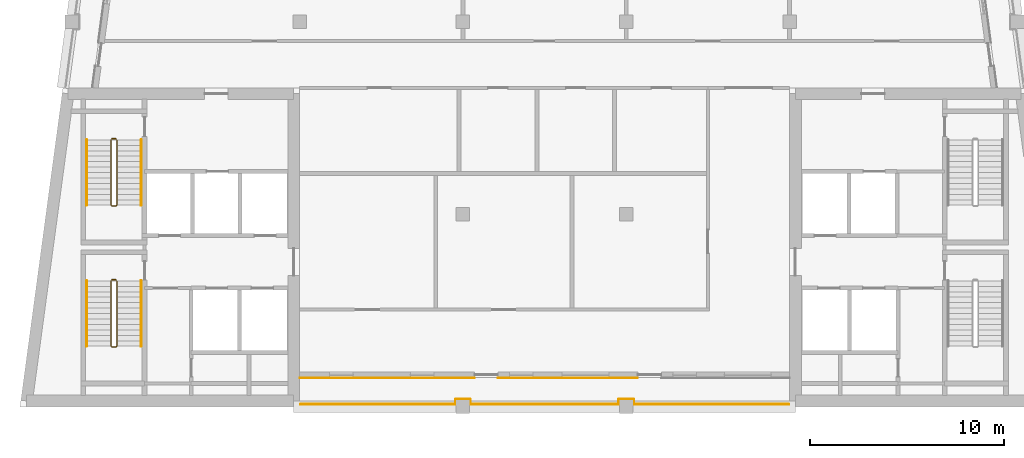
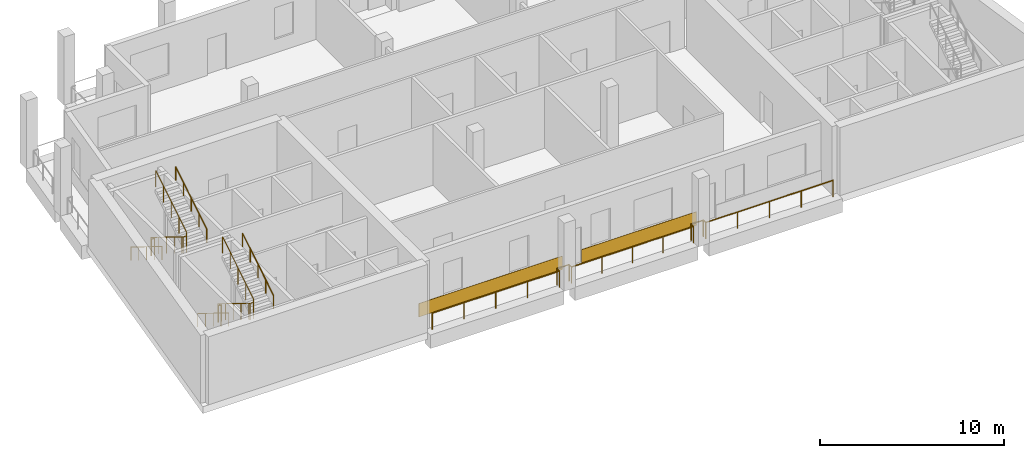
# One storey, part 6 of 8: 9 railings, 2 coverings.
"""IFC4 building model written with IfcOpenShell, lengths in metres."""

from ifc_helpers import new_model, si_unit, direction, frame, origin, origin_2d, place, context, subcontext, project, spatial, rectangle, circle, extrude, material, layer, layer_set, type_object, element, save


model = new_model("IFC4")

# Units and contexts
model_context = context("Model", 3, precision=1e-05, world=origin(), true_north=direction((0.0, 1.0)))
body_context = subcontext(model_context, "Body", "Model", "MODEL_VIEW")
ifc_project = project(units=[si_unit("LENGTHUNIT", "METRE"), si_unit("AREAUNIT", "SQUARE_METRE"), si_unit("VOLUMEUNIT", "CUBIC_METRE"), si_unit("PLANEANGLEUNIT", "RADIAN"), si_unit("MASSUNIT", "GRAM", prefix="KILO")], contexts=[model_context])

# Site, building, storey
site_placement = place(None, origin())
site = spatial("IfcSite", under=ifc_project, at=site_placement, CompositionType="ELEMENT")
building_placement = place(site_placement, origin())
building = spatial("IfcBuilding", under=site, at=building_placement, Name="Candeia Pilgrim Tower and Theatre", CompositionType="ELEMENT")
storey_placement = place(building_placement, frame((0.0, 0.0, 315.39990234375)))
storey = spatial("IfcBuildingStorey", under=building, at=storey_placement, Name="L76", CompositionType="ELEMENT", Elevation=315.39990234375)

# Railing
ifc_material_1 = material(Name="Stainless steel balustrade", Category="steel")
railing_type_1 = type_object("IfcRailingType", Name="G1 loggia guard 1100", PredefinedType="GUARDRAIL", material=ifc_material_1)
railing_1_placement = place(storey_placement, frame((125.949951171875, 116.1201171875, 0.0)))
element("IfcRailing", 1, at=railing_1_placement, inside=storey, type_object=railing_type_1, Name="Guard L76.3", PredefinedType="GUARDRAIL", context=body_context, shape_type="SweptSolid", body=[
    extrude(circle(Radius=0.02392578125, at=origin_2d()), frame((0.0, 0.0, 1.076171875), z_axis=(-1.0, 0.0, 0.0), x_axis=(0.0, -1.0, 0.0)), (0.0, 0.0, 1.0), 7.969970703125),
    extrude(circle(Radius=0.02392578125, at=origin_2d()), frame((-7.969970703125, 0.0, 1.076171875), z_axis=(0.0, 1.0, 0.0), x_axis=(-1.0, 0.0, 0.0)), (0.0, 0.0, 1.0), 0.259765625),
    extrude(circle(Radius=0.02392578125, at=origin_2d()), frame((-7.969970703125, 0.259765625, 1.076171875), z_axis=(-1.0, 0.0, 0.0), x_axis=(0.0, -1.0, 0.0)), (0.0, 0.0, 1.0), 0.760009765625),
    extrude(circle(Radius=0.02392578125, at=origin_2d()), frame((-8.72998046875, 0.259765625, 1.076171875), z_axis=(0.0, -1.0, 0.0), x_axis=(1.0, 0.0, 0.0)), (0.0, 0.0, 1.0), 0.259765625),
    extrude(circle(Radius=0.02392578125, at=origin_2d()), frame((-8.72998046875, 0.0, 1.076171875), z_axis=(-1.0, 0.0, 0.0), x_axis=(0.0, -1.0, 0.0)), (0.0, 0.0, 1.0), 7.639892578125),
    extrude(circle(Radius=0.02392578125, at=origin_2d()), frame((-16.369873046875, 0.0, 1.076171875), z_axis=(0.0, 1.0, 0.0), x_axis=(-1.0, 0.0, 0.0)), (0.0, 0.0, 1.0), 0.259765625),
    extrude(circle(Radius=0.02392578125, at=origin_2d()), frame((-16.369873046875, 0.259765625, 1.076171875), z_axis=(-1.0, 0.0, 0.0), x_axis=(0.0, -1.0, 0.0)), (0.0, 0.0, 1.0), 0.760009765625),
    extrude(circle(Radius=0.02392578125, at=origin_2d()), frame((-17.1298828125, 0.259765625, 1.076171875), z_axis=(0.0, -1.0, 0.0), x_axis=(1.0, 0.0, 0.0)), (0.0, 0.0, 1.0), 0.259765625),
    extrude(circle(Radius=0.02392578125, at=origin_2d()), frame((-17.1298828125, 0.0, 1.076171875), z_axis=(-1.0, 0.0, 0.0), x_axis=(0.0, -1.0, 0.0)), (0.0, 0.0, 1.0), 7.969970703125),
    extrude(circle(Radius=0.02099609375, at=origin_2d()), origin(), (0.0, 0.0, 1.0), 1.052001953125),
    extrude(circle(Radius=0.02099609375, at=origin_2d()), frame((-1.992431640625, 0.0, 0.0)), (0.0, 0.0, 1.0), 1.052001953125),
    extrude(circle(Radius=0.02099609375, at=origin_2d()), frame((-3.98486328125, 0.0, 0.0)), (0.0, 0.0, 1.0), 1.052001953125),
    extrude(circle(Radius=0.02099609375, at=origin_2d()), frame((-5.9775390625, 0.0, 0.0)), (0.0, 0.0, 1.0), 1.052001953125),
    extrude(circle(Radius=0.02099609375, at=origin_2d()), frame((-7.969970703125, 0.0, 0.0)), (0.0, 0.0, 1.0), 1.052001953125),
    extrude(circle(Radius=0.02099609375, at=origin_2d()), frame((-7.969970703125, 0.259765625, 0.0)), (0.0, 0.0, 1.0), 1.052001953125),
    extrude(circle(Radius=0.02099609375, at=origin_2d()), frame((-8.72998046875, 0.259765625, 0.0)), (0.0, 0.0, 1.0), 1.052001953125),
    extrude(circle(Radius=0.02099609375, at=origin_2d()), frame((-8.72998046875, 0.0, 0.0)), (0.0, 0.0, 1.0), 1.052001953125),
    extrude(circle(Radius=0.02099609375, at=origin_2d()), frame((-10.639892578125, 0.0, 0.0)), (0.0, 0.0, 1.0), 1.052001953125),
    extrude(circle(Radius=0.02099609375, at=origin_2d()), frame((-12.5498046875, 0.0, 0.0)), (0.0, 0.0, 1.0), 1.052001953125),
    extrude(circle(Radius=0.02099609375, at=origin_2d()), frame((-14.4599609375, 0.0, 0.0)), (0.0, 0.0, 1.0), 1.052001953125),
    extrude(circle(Radius=0.02099609375, at=origin_2d()), frame((-16.369873046875, 0.0, 0.0)), (0.0, 0.0, 1.0), 1.052001953125),
    extrude(circle(Radius=0.02099609375, at=origin_2d()), frame((-16.369873046875, 0.259765625, 0.0)), (0.0, 0.0, 1.0), 1.052001953125),
    extrude(circle(Radius=0.02099609375, at=origin_2d()), frame((-17.1298828125, 0.259765625, 0.0)), (0.0, 0.0, 1.0), 1.052001953125),
    extrude(circle(Radius=0.02099609375, at=origin_2d()), frame((-17.1298828125, 0.0, 0.0)), (0.0, 0.0, 1.0), 1.052001953125),
    extrude(circle(Radius=0.02099609375, at=origin_2d()), frame((-19.122314453125, 0.0, 0.0)), (0.0, 0.0, 1.0), 1.052001953125),
    extrude(circle(Radius=0.02099609375, at=origin_2d()), frame((-21.11474609375, 0.0, 0.0)), (0.0, 0.0, 1.0), 1.052001953125),
    extrude(circle(Radius=0.02099609375, at=origin_2d()), frame((-23.107421875, 0.0, 0.0)), (0.0, 0.0, 1.0), 1.052001953125),
    extrude(circle(Radius=0.02099609375, at=origin_2d()), frame((-25.099853515625, 0.0, 0.0)), (0.0, 0.0, 1.0), 1.052001953125),
])

# Coverings
ifc_material_2 = material(Name="Glazed ceramic tile bottle green")
ifc_layer = layer(ifc_material_2, 0.02001953125)
ifc_layer_set = layer_set([ifc_layer], Name="Glazed ceramic tile bottle green")
covering_type = type_object("IfcCoveringType", Name="Glazed ceramic tile bottle green", PredefinedType="CLADDING", material=ifc_layer_set)
covering_1_placement = place(storey_placement, frame((105.300048828125, 117.489990234375, 0.000244140625), z_axis=(0.0, 0.0, 1.0), x_axis=(1.0, 0.0, 0.0)))
element("IfcCovering", 2, at=covering_1_placement, inside=storey, type_object=covering_type, Name="Tile cladding bottle green L76", PredefinedType="CLADDING", context=body_context, shape_type="SweptSolid", body=[
    extrude(rectangle(XDim=9.0, YDim=0.02001953125, at=origin_2d()), origin(), (0.0, 0.0, 1.0), 0.89990234375),
])
covering_2_placement = place(storey_placement, frame((114.60009765625, 117.489990234375, 0.000244140625), z_axis=(0.0, 0.0, 1.0), x_axis=(1.0, 0.0, 0.0)))
element("IfcCovering", 3, at=covering_2_placement, inside=storey, type_object=covering_type, Name="Tile cladding bottle green L76", PredefinedType="CLADDING", context=body_context, shape_type="SweptSolid", body=[
    extrude(rectangle(XDim=7.199951171875, YDim=0.02001953125, at=origin_2d()), origin(), (0.0, 0.0, 1.0), 0.89990234375),
])

# Railings
railing_type_2 = type_object("IfcRailingType", Name="RL-GUARD-1100", PredefinedType="GUARDRAIL", material=ifc_material_1)
railing_2_placement = place(storey_placement, frame((91.10205078125, 122.47509765625, 0.173095703125)))
element("IfcRailing", 4, at=railing_2_placement, inside=storey, type_object=railing_type_2, Name="L76 ST1 stair guard 1", PredefinedType="GUARDRAIL", context=body_context, shape_type="SweptSolid", body=[
    extrude(circle(Radius=0.02392578125, at=origin_2d()), frame((0.0, 0.0, 1.076171875), z_axis=(0.0, -0.850623216509, 0.525775754039), x_axis=(1.0, 0.0, 0.0)), (0.0, 0.0, 1.0), 3.9501953125),
    extrude(circle(Radius=0.02392578125, at=origin_2d()), frame((0.0, -3.360107421875, 3.15283203125), z_axis=(0.707106781187, -0.707106781187, 0.0), x_axis=(0.707106781187, 0.707106781187, 0.0)), (0.0, 0.0, 1.0), 0.07080078125),
    extrude(circle(Radius=0.02392578125, at=origin_2d()), frame((0.050048828125, -3.41015625, 3.15283203125), z_axis=(1.0, 0.0, 0.0), x_axis=(0.0, 1.0, 0.0)), (0.0, 0.0, 1.0), 0.199951171875),
    extrude(circle(Radius=0.02392578125, at=origin_2d()), frame((0.25, -3.41015625, 3.15283203125), z_axis=(0.267629722418, 0.267629722418, 0.925607186314), x_axis=(-0.707106781187, 0.707106781187, 0.0)), (0.0, 0.0, 1.0), 0.18701171875),
    extrude(circle(Radius=0.02392578125, at=origin_2d()), frame((0.300048828125, -3.360107421875, 3.326171875), z_axis=(0.0, 0.850623216509, 0.525775754039), x_axis=(-1.0, 0.0, 0.0)), (0.0, 0.0, 1.0), 3.9501953125),
    extrude(circle(Radius=0.02099609375, at=origin_2d()), origin(), (0.0, 0.0, 1.0), 1.052001953125),
    extrude(circle(Radius=0.02099609375, at=origin_2d()), frame((0.0, -0.840087890625, 0.519287109375)), (0.0, 0.0, 1.0), 1.052001953125),
    extrude(circle(Radius=0.02099609375, at=origin_2d()), frame((0.0, -1.68017578125, 1.03857421875)), (0.0, 0.0, 1.0), 1.052001953125),
    extrude(circle(Radius=0.02099609375, at=origin_2d()), frame((0.0, -2.52001953125, 1.5576171875)), (0.0, 0.0, 1.0), 1.052001953125),
    extrude(circle(Radius=0.02099609375, at=origin_2d()), frame((0.0, -3.360107421875, 2.076904296875)), (0.0, 0.0, 1.0), 1.052001953125),
    extrude(circle(Radius=0.02099609375, at=origin_2d()), frame((0.050048828125, -3.41015625, 2.076904296875)), (0.0, 0.0, 1.0), 1.052001953125),
    extrude(circle(Radius=0.02099609375, at=origin_2d()), frame((0.25, -3.41015625, 2.076904296875)), (0.0, 0.0, 1.0), 1.052001953125),
    extrude(circle(Radius=0.02099609375, at=origin_2d()), frame((0.300048828125, -3.360107421875, 2.25)), (0.0, 0.0, 1.0), 1.052001953125),
    extrude(circle(Radius=0.02099609375, at=origin_2d()), frame((0.300048828125, -2.52001953125, 2.769287109375)), (0.0, 0.0, 1.0), 1.052001953125),
    extrude(circle(Radius=0.02099609375, at=origin_2d()), frame((0.300048828125, -1.68017578125, 3.28857421875)), (0.0, 0.0, 1.0), 1.052001953125),
    extrude(circle(Radius=0.02099609375, at=origin_2d()), frame((0.300048828125, -0.840087890625, 3.8076171875)), (0.0, 0.0, 1.0), 1.052001953125),
    extrude(circle(Radius=0.02099609375, at=origin_2d()), frame((0.300048828125, 0.0, 4.326904296875)), (0.0, 0.0, 1.0), 1.052001953125),
])
railing_3_placement = place(storey_placement, frame((91.152099609375, 122.52490234375, 0.0)))
element("IfcRailing", 5, at=railing_3_placement, inside=storey, type_object=railing_type_2, Name="L76 ST1 stair guard 2", PredefinedType="GUARDRAIL", context=body_context, shape_type="SweptSolid", body=[
    extrude(circle(Radius=0.02392578125, at=origin_2d()), frame((0.0, 0.0, 1.076171875), z_axis=(1.0, 0.0, 0.0), x_axis=(0.0, 1.0, 0.0)), (0.0, 0.0, 1.0), 0.199951171875),
    extrude(circle(Radius=0.02099609375, at=origin_2d()), origin(), (0.0, 0.0, 1.0), 1.052001953125),
    extrude(circle(Radius=0.02099609375, at=origin_2d()), frame((0.199951171875, 0.0, 0.0)), (0.0, 0.0, 1.0), 1.052001953125),
])
railing_4_placement = place(storey_placement, frame((91.10205078125, 129.72509765625, 0.173095703125)))
element("IfcRailing", 6, at=railing_4_placement, inside=storey, type_object=railing_type_2, Name="L76 ST2 stair guard 1", PredefinedType="GUARDRAIL", context=body_context, shape_type="SweptSolid", body=[
    extrude(circle(Radius=0.02392578125, at=origin_2d()), frame((0.0, 0.0, 1.076171875), z_axis=(0.0, -0.850623216509, 0.525775754039), x_axis=(1.0, 0.0, 0.0)), (0.0, 0.0, 1.0), 3.9501953125),
    extrude(circle(Radius=0.02392578125, at=origin_2d()), frame((0.0, -3.360107421875, 3.15283203125), z_axis=(0.707106781187, -0.707106781187, 0.0), x_axis=(0.707106781187, 0.707106781187, 0.0)), (0.0, 0.0, 1.0), 0.07080078125),
    extrude(circle(Radius=0.02392578125, at=origin_2d()), frame((0.050048828125, -3.41015625, 3.15283203125), z_axis=(1.0, 0.0, 0.0), x_axis=(0.0, 1.0, 0.0)), (0.0, 0.0, 1.0), 0.199951171875),
    extrude(circle(Radius=0.02392578125, at=origin_2d()), frame((0.25, -3.41015625, 3.15283203125), z_axis=(0.267629722418, 0.267629722418, 0.925607186314), x_axis=(-0.707106781187, 0.707106781187, 0.0)), (0.0, 0.0, 1.0), 0.18701171875),
    extrude(circle(Radius=0.02392578125, at=origin_2d()), frame((0.300048828125, -3.360107421875, 3.326171875), z_axis=(0.0, 0.850623216509, 0.525775754039), x_axis=(-1.0, 0.0, 0.0)), (0.0, 0.0, 1.0), 3.9501953125),
    extrude(circle(Radius=0.02099609375, at=origin_2d()), origin(), (0.0, 0.0, 1.0), 1.052001953125),
    extrude(circle(Radius=0.02099609375, at=origin_2d()), frame((0.0, -0.840087890625, 0.519287109375)), (0.0, 0.0, 1.0), 1.052001953125),
    extrude(circle(Radius=0.02099609375, at=origin_2d()), frame((0.0, -1.68017578125, 1.03857421875)), (0.0, 0.0, 1.0), 1.052001953125),
    extrude(circle(Radius=0.02099609375, at=origin_2d()), frame((0.0, -2.52001953125, 1.5576171875)), (0.0, 0.0, 1.0), 1.052001953125),
    extrude(circle(Radius=0.02099609375, at=origin_2d()), frame((0.0, -3.360107421875, 2.076904296875)), (0.0, 0.0, 1.0), 1.052001953125),
    extrude(circle(Radius=0.02099609375, at=origin_2d()), frame((0.050048828125, -3.41015625, 2.076904296875)), (0.0, 0.0, 1.0), 1.052001953125),
    extrude(circle(Radius=0.02099609375, at=origin_2d()), frame((0.25, -3.41015625, 2.076904296875)), (0.0, 0.0, 1.0), 1.052001953125),
    extrude(circle(Radius=0.02099609375, at=origin_2d()), frame((0.300048828125, -3.360107421875, 2.25)), (0.0, 0.0, 1.0), 1.052001953125),
    extrude(circle(Radius=0.02099609375, at=origin_2d()), frame((0.300048828125, -2.52001953125, 2.769287109375)), (0.0, 0.0, 1.0), 1.052001953125),
    extrude(circle(Radius=0.02099609375, at=origin_2d()), frame((0.300048828125, -1.68017578125, 3.28857421875)), (0.0, 0.0, 1.0), 1.052001953125),
    extrude(circle(Radius=0.02099609375, at=origin_2d()), frame((0.300048828125, -0.840087890625, 3.8076171875)), (0.0, 0.0, 1.0), 1.052001953125),
    extrude(circle(Radius=0.02099609375, at=origin_2d()), frame((0.300048828125, 0.0, 4.326904296875)), (0.0, 0.0, 1.0), 1.052001953125),
])
railing_5_placement = place(storey_placement, frame((91.152099609375, 129.77490234375, 0.0)))
element("IfcRailing", 7, at=railing_5_placement, inside=storey, type_object=railing_type_2, Name="L76 ST2 stair guard 2", PredefinedType="GUARDRAIL", context=body_context, shape_type="SweptSolid", body=[
    extrude(circle(Radius=0.02392578125, at=origin_2d()), frame((0.0, 0.0, 1.076171875), z_axis=(1.0, 0.0, 0.0), x_axis=(0.0, 1.0, 0.0)), (0.0, 0.0, 1.0), 0.199951171875),
    extrude(circle(Radius=0.02099609375, at=origin_2d()), origin(), (0.0, 0.0, 1.0), 1.052001953125),
    extrude(circle(Radius=0.02099609375, at=origin_2d()), frame((0.199951171875, 0.0, 0.0)), (0.0, 0.0, 1.0), 1.052001953125),
])
ifc_material_3 = material(Name="Stainless steel handrail", Category="steel")
railing_type_3 = type_object("IfcRailingType", Name="RL-HANDRAIL-900", PredefinedType="HANDRAIL", material=ifc_material_3)
railing_6_placement = place(storey_placement, frame((89.85205078125, 122.47509765625, 0.173095703125)))
element("IfcRailing", 8, at=railing_6_placement, inside=storey, type_object=railing_type_3, Name="L76 ST1 stair handrail 1", PredefinedType="HANDRAIL", context=body_context, shape_type="SweptSolid", body=[
    extrude(circle(Radius=0.02392578125, at=origin_2d()), frame((0.0, 0.0, 0.8759765625), z_axis=(0.0, -0.850623216509, 0.525775754039), x_axis=(1.0, 0.0, 0.0)), (0.0, 0.0, 1.0), 3.9501953125),
    extrude(circle(Radius=0.02099609375, at=origin_2d()), origin(), (0.0, 0.0, 1.0), 0.851806640625),
    extrude(circle(Radius=0.02099609375, at=origin_2d()), frame((0.0, -0.840087890625, 0.519287109375)), (0.0, 0.0, 1.0), 0.851806640625),
    extrude(circle(Radius=0.02099609375, at=origin_2d()), frame((0.0, -1.68017578125, 1.03857421875)), (0.0, 0.0, 1.0), 0.851806640625),
    extrude(circle(Radius=0.02099609375, at=origin_2d()), frame((0.0, -2.52001953125, 1.5576171875)), (0.0, 0.0, 1.0), 0.851806640625),
    extrude(circle(Radius=0.02099609375, at=origin_2d()), frame((0.0, -3.360107421875, 2.076904296875)), (0.0, 0.0, 1.0), 0.851806640625),
])
railing_7_placement = place(storey_placement, frame((92.652099609375, 119.114990234375, 2.423095703125)))
element("IfcRailing", 9, at=railing_7_placement, inside=storey, type_object=railing_type_3, Name="L76 ST1 stair handrail 2", PredefinedType="HANDRAIL", context=body_context, shape_type="SweptSolid", body=[
    extrude(circle(Radius=0.02392578125, at=origin_2d()), frame((0.0, 0.0, 0.8759765625), z_axis=(0.0, 0.850623216509, 0.525775754039), x_axis=(-1.0, 0.0, 0.0)), (0.0, 0.0, 1.0), 3.9501953125),
    extrude(circle(Radius=0.02099609375, at=origin_2d()), origin(), (0.0, 0.0, 1.0), 0.851806640625),
    extrude(circle(Radius=0.02099609375, at=origin_2d()), frame((0.0, 0.840087890625, 0.519287109375)), (0.0, 0.0, 1.0), 0.851806640625),
    extrude(circle(Radius=0.02099609375, at=origin_2d()), frame((0.0, 1.68017578125, 1.03857421875)), (0.0, 0.0, 1.0), 0.851806640625),
    extrude(circle(Radius=0.02099609375, at=origin_2d()), frame((0.0, 2.52001953125, 1.5576171875)), (0.0, 0.0, 1.0), 0.851806640625),
    extrude(circle(Radius=0.02099609375, at=origin_2d()), frame((0.0, 3.360107421875, 2.076904296875)), (0.0, 0.0, 1.0), 0.851806640625),
])
railing_8_placement = place(storey_placement, frame((89.85205078125, 129.72509765625, 0.173095703125)))
element("IfcRailing", 10, at=railing_8_placement, inside=storey, type_object=railing_type_3, Name="L76 ST2 stair handrail 1", PredefinedType="HANDRAIL", context=body_context, shape_type="SweptSolid", body=[
    extrude(circle(Radius=0.02392578125, at=origin_2d()), frame((0.0, 0.0, 0.8759765625), z_axis=(0.0, -0.850623216509, 0.525775754039), x_axis=(1.0, 0.0, 0.0)), (0.0, 0.0, 1.0), 3.9501953125),
    extrude(circle(Radius=0.02099609375, at=origin_2d()), origin(), (0.0, 0.0, 1.0), 0.851806640625),
    extrude(circle(Radius=0.02099609375, at=origin_2d()), frame((0.0, -0.840087890625, 0.519287109375)), (0.0, 0.0, 1.0), 0.851806640625),
    extrude(circle(Radius=0.02099609375, at=origin_2d()), frame((0.0, -1.68017578125, 1.03857421875)), (0.0, 0.0, 1.0), 0.851806640625),
    extrude(circle(Radius=0.02099609375, at=origin_2d()), frame((0.0, -2.52001953125, 1.5576171875)), (0.0, 0.0, 1.0), 0.851806640625),
    extrude(circle(Radius=0.02099609375, at=origin_2d()), frame((0.0, -3.360107421875, 2.076904296875)), (0.0, 0.0, 1.0), 0.851806640625),
])
railing_9_placement = place(storey_placement, frame((92.652099609375, 126.364990234375, 2.423095703125)))
element("IfcRailing", 11, at=railing_9_placement, inside=storey, type_object=railing_type_3, Name="L76 ST2 stair handrail 2", PredefinedType="HANDRAIL", context=body_context, shape_type="SweptSolid", body=[
    extrude(circle(Radius=0.02392578125, at=origin_2d()), frame((0.0, 0.0, 0.8759765625), z_axis=(0.0, 0.850623216509, 0.525775754039), x_axis=(-1.0, 0.0, 0.0)), (0.0, 0.0, 1.0), 3.9501953125),
    extrude(circle(Radius=0.02099609375, at=origin_2d()), origin(), (0.0, 0.0, 1.0), 0.851806640625),
    extrude(circle(Radius=0.02099609375, at=origin_2d()), frame((0.0, 0.840087890625, 0.519287109375)), (0.0, 0.0, 1.0), 0.851806640625),
    extrude(circle(Radius=0.02099609375, at=origin_2d()), frame((0.0, 1.68017578125, 1.03857421875)), (0.0, 0.0, 1.0), 0.851806640625),
    extrude(circle(Radius=0.02099609375, at=origin_2d()), frame((0.0, 2.52001953125, 1.5576171875)), (0.0, 0.0, 1.0), 0.851806640625),
    extrude(circle(Radius=0.02099609375, at=origin_2d()), frame((0.0, 3.360107421875, 2.076904296875)), (0.0, 0.0, 1.0), 0.851806640625),
])

save(model, "model.ifc")
